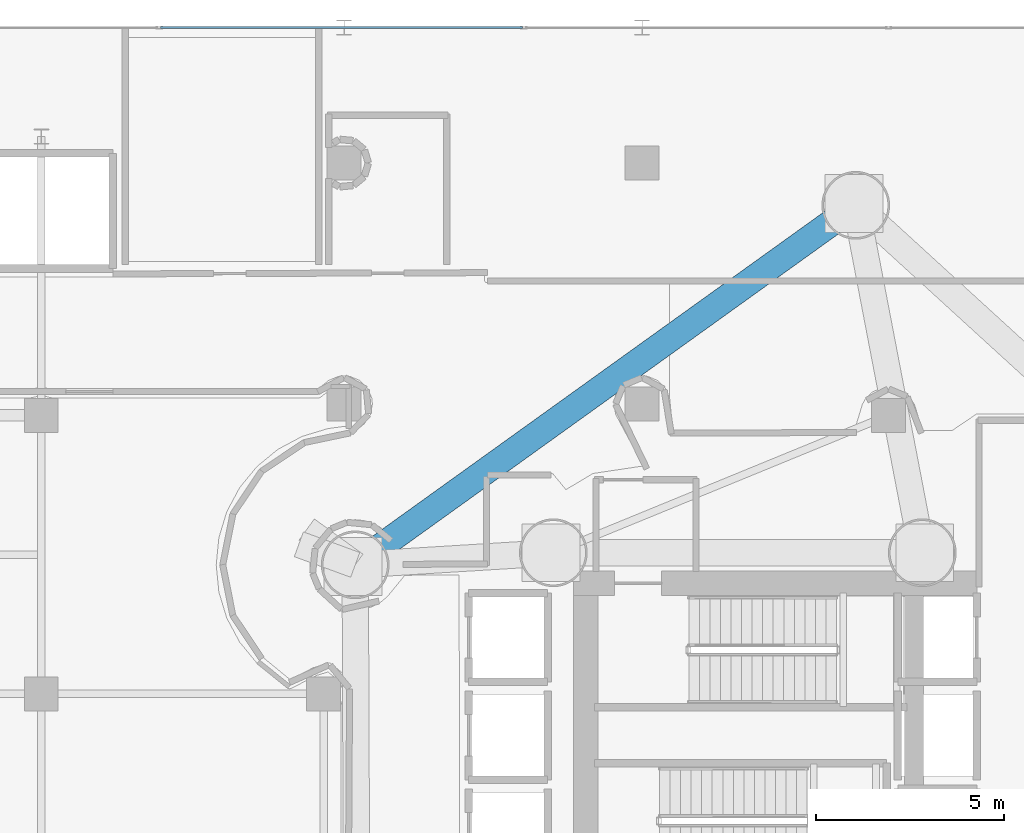
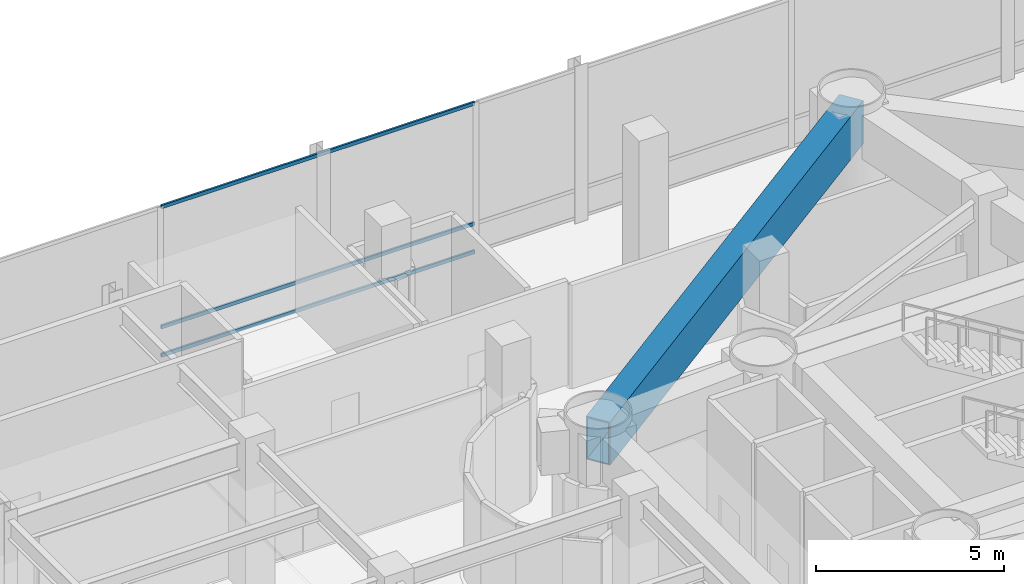
# One storey, part 19 of 40: 3 members, 1 beam, 1 element without a shape of its own.
"""IFC4 building model written with IfcOpenShell, lengths in metres."""

from ifc_helpers import new_model, si_unit, direction, frame, origin, origin_2d, place, context, subcontext, project, spatial, hollow_rectangle, extrude, material, layer, layer_set, material_profile, profile_set, type_object, element, aggregate, save


model = new_model("IFC4")

# Units and contexts
model_context = context("Model", 3, precision=1e-05, world=origin(), true_north=direction((0.0, 1.0)))
body_context = subcontext(model_context, "Body", "Model", "MODEL_VIEW")
ifc_project = project(units=[si_unit("LENGTHUNIT", "METRE"), si_unit("AREAUNIT", "SQUARE_METRE"), si_unit("VOLUMEUNIT", "CUBIC_METRE"), si_unit("PLANEANGLEUNIT", "RADIAN"), si_unit("MASSUNIT", "GRAM", prefix="KILO")], contexts=[model_context])

# Site, building, storey
site_placement = place(None, origin())
site = spatial("IfcSite", under=ifc_project, at=site_placement, CompositionType="ELEMENT")
building_placement = place(site_placement, origin())
building = spatial("IfcBuilding", under=site, at=building_placement, Name="Qianvela Tower", CompositionType="ELEMENT")
storey_placement = place(building_placement, frame((0.0, 0.0, 20.60009765625)))
storey = spatial("IfcBuildingStorey", under=building, at=storey_placement, Name="L04", CompositionType="ELEMENT", Elevation=20.60009765625)

# Beam
ifc_material_1 = material(Name="Steel Q420GJC", Category="steel")
ifc_material_profile_1 = material_profile(ifc_material_1, hollow_rectangle(XDim=0.699951171875, YDim=1.39990234375, WallThickness=0.0400390625, at=origin_2d()), Name="TG-BOX-1400x700x40")
ifc_profile_set_1 = profile_set([ifc_material_profile_1], Name="Steel Q420GJC")
beam_type = type_object("IfcBeamType", Name="BM-TG-RAD-1400", PredefinedType="BEAM", material=ifc_profile_set_1)
beam_placement = place(storey_placement, frame((36.632080078125, 42.778076171875, 4.097900390625), z_axis=(-0.812164446449, -0.583428583397, 0.0), x_axis=(0.583428583397, -0.812164446449, 0.0)))
element("IfcBeam", 1, at=beam_placement, inside=storey, type_object=beam_type, Name="L04 Perimeter Belt-Truss Top Ring Girder 3", PredefinedType="BEAM", context=body_context, shape_type="SweptSolid", body=[
    extrude(hollow_rectangle(XDim=0.699951171875, YDim=1.39990234375, WallThickness=0.0400390625, at=origin_2d()), origin(), (0.0, 0.0, 1.0), 16.368896484375),
])

# Curtain wall, members
ifc_material_2 = material(Name="Anodised Architectural Aluminium and Low-E Glass", Category="aluminium")
ifc_layer = layer(ifc_material_2, 0.179931640625)
ifc_layer_set = layer_set([ifc_layer], Name="Anodised Architectural Aluminium and Low-E Glass")
curtain_wall_type = type_object("IfcCurtainWallType", Name="CW-COMMONS", PredefinedType="USERDEFINED", material=ifc_layer_set)
curtain_wall_placement = place(storey_placement, origin())
curtain_wall = element("IfcCurtainWall", 2, at=curtain_wall_placement, inside=storey, type_object=curtain_wall_type, Name="L04 CW-COMMONS Curtain Wall 05", ObjectType="CURTAIN_WALL_SYSTEM", PredefinedType="USERDEFINED")
ifc_material_3 = material(Name="Anodised Architectural Aluminium 6063-T6", Category="aluminium")
ifc_material_profile_2 = material_profile(ifc_material_3, hollow_rectangle(XDim=0.06005859375, YDim=0.114990234375, WallThickness=0.00390625, at=origin_2d()), Name="ALU-TRAN-60x115")
ifc_profile_set_2 = profile_set([ifc_material_profile_2], Name="Anodised Architectural Aluminium 6063-T6")
member_type = type_object("IfcMemberType", Name="CW-COMMONS-TRAN", PredefinedType="USERDEFINED", material=ifc_profile_set_2)
member_1_placement = place(storey_placement, frame((27.78173828125, 47.5, 0.02978515625), z_axis=(-1.0, 0.0, 0.0), x_axis=(0.0, -1.0, 0.0)))
member_1 = element("IfcMember", 3, at=member_1_placement, type_object=member_type, Name="CW-2 transom 5.1", ObjectType="TRANSOM", PredefinedType="USERDEFINED", context=body_context, shape_type="SweptSolid", body=[
    extrude(hollow_rectangle(XDim=0.06005859375, YDim=0.114990234375, WallThickness=0.00390625, at=origin_2d()), origin(), (0.0, 0.0, 1.0), 9.613525390625),
])
member_2_placement = place(storey_placement, frame((27.78173828125, 47.5, 0.949951171875), z_axis=(-1.0, 0.0, 0.0), x_axis=(0.0, -1.0, 0.0)))
member_2 = element("IfcMember", 4, at=member_2_placement, type_object=member_type, Name="CW-2 transom 5.2", ObjectType="TRANSOM", PredefinedType="USERDEFINED", context=body_context, shape_type="SweptSolid", body=[
    extrude(hollow_rectangle(XDim=0.06005859375, YDim=0.114990234375, WallThickness=0.00390625, at=origin_2d()), origin(), (0.0, 0.0, 1.0), 9.613525390625),
])
member_3_placement = place(storey_placement, frame((27.78173828125, 47.5, 4.849853515625), z_axis=(-1.0, 0.0, 0.0), x_axis=(0.0, -1.0, 0.0)))
member_3 = element("IfcMember", 5, at=member_3_placement, type_object=member_type, Name="CW-2 transom 5.3", ObjectType="TRANSOM", PredefinedType="USERDEFINED", context=body_context, shape_type="SweptSolid", body=[
    extrude(hollow_rectangle(XDim=0.06005859375, YDim=0.114990234375, WallThickness=0.00390625, at=origin_2d()), origin(), (0.0, 0.0, 1.0), 9.613525390625),
])
aggregate(curtain_wall, [member_1, member_2, member_3])

save(model, "model.ifc")
